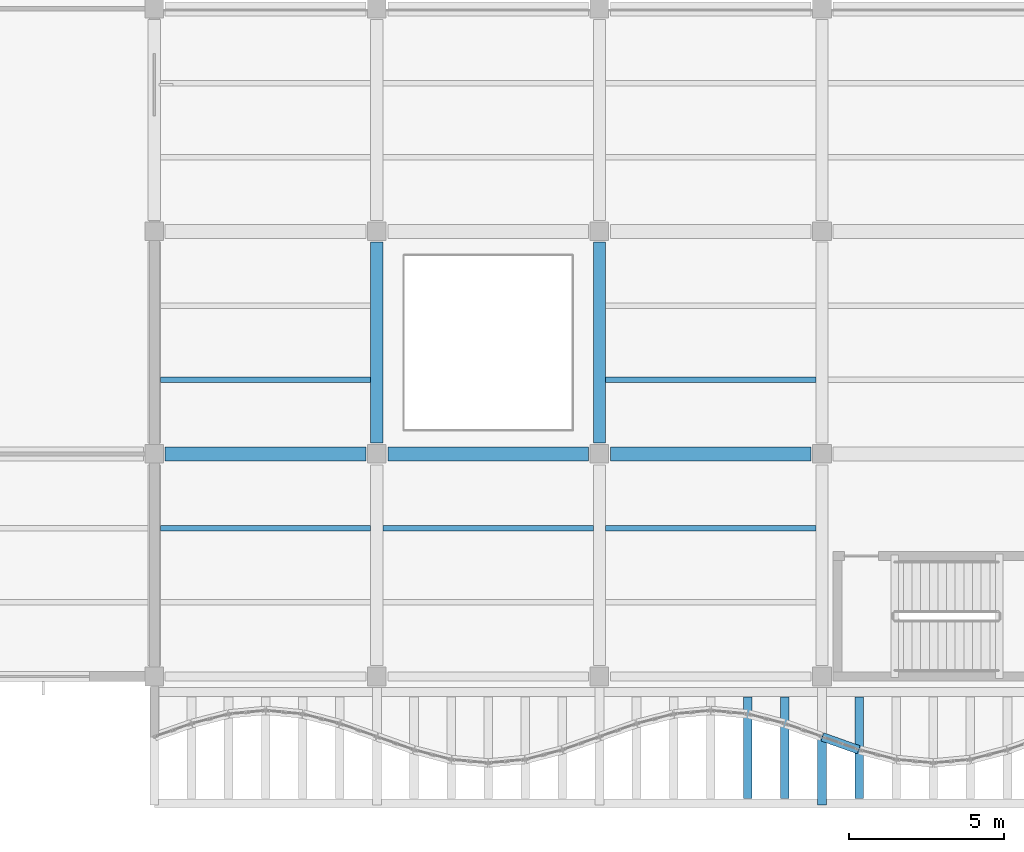
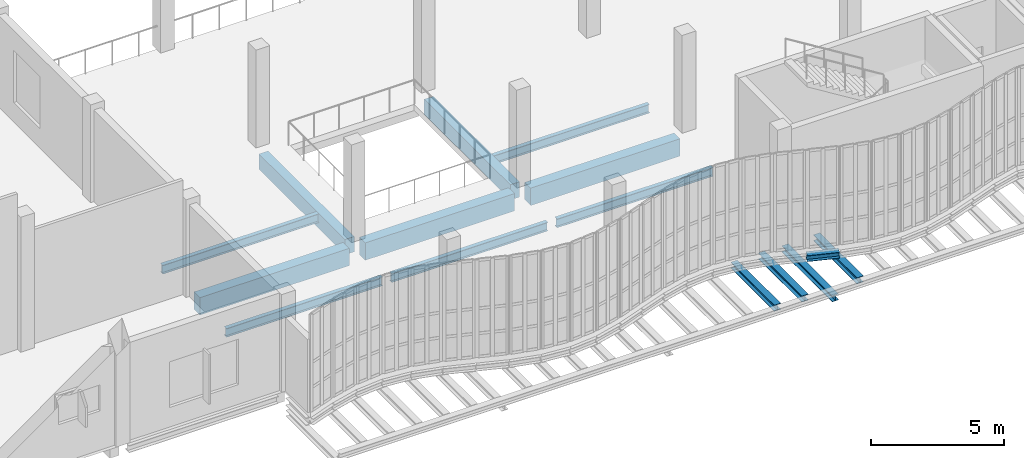
# One storey, part 11 of 105: 15 beams.
"""IFC4 building model written with IfcOpenShell, lengths in metres."""

from ifc_helpers import new_model, si_unit, direction, frame, origin, origin_2d, place, context, subcontext, project, spatial, rectangle, i_section, extrude, material, material_profile, profile_set, type_object, element, save


model = new_model("IFC4")

# Units and contexts
model_context = context("Model", 3, precision=1e-05, world=origin(), true_north=direction((0.0, 1.0)))
body_context = subcontext(model_context, "Body", "Model", "MODEL_VIEW")
ifc_project = project(units=[si_unit("LENGTHUNIT", "METRE"), si_unit("AREAUNIT", "SQUARE_METRE"), si_unit("VOLUMEUNIT", "CUBIC_METRE"), si_unit("PLANEANGLEUNIT", "RADIAN"), si_unit("MASSUNIT", "GRAM", prefix="KILO"), si_unit("THERMODYNAMICTEMPERATUREUNIT", "KELVIN"), si_unit("POWERUNIT", "WATT")], contexts=[model_context])

# Site, building, storey
site_placement = place(None, origin())
site = spatial("IfcSite", under=ifc_project, at=site_placement, CompositionType="ELEMENT")
building_placement = place(site_placement, origin())
building = spatial("IfcBuilding", under=site, at=building_placement, Name="Kaldorven Railside Theatre", CompositionType="ELEMENT")
storey_placement = place(building_placement, frame((0.0, 0.0, 9.89990234375)))
storey = spatial("IfcBuildingStorey", under=building, at=storey_placement, Name="L02", CompositionType="ELEMENT", Elevation=9.89990234375)

# Beams
ifc_material_1 = material(Name="Steel S355", Category="steel")
ifc_material_profile_1 = material_profile(ifc_material_1, i_section(OverallWidth=0.280029296875, OverallDepth=0.280029296875, WebThickness=0.010498046875, FlangeThickness=0.01806640625, at=origin_2d()), Name="HEB 280")
ifc_profile_set_1 = profile_set([ifc_material_profile_1], Name="Steel S355")
beam_type_1 = type_object("IfcBeamType", Name="BM-HEB280", PredefinedType="SPANDREL", material=ifc_profile_set_1)
beam_1_placement = place(storey_placement, frame((58.39990234375, 15.050048828125, -0.97998046875), z_axis=(0.0, 1.0, 0.0), x_axis=(-1.0, 0.0, 0.0)))
element("IfcBeam", 1, at=beam_1_placement, inside=storey, type_object=beam_type_1, Name="L02 Sinusoidal Lower Cantilever Girder FOB-K017", PredefinedType="SPANDREL", context=body_context, shape_type="SweptSolid", body=[
    extrude(i_section(OverallWidth=0.280029296875, OverallDepth=0.280029296875, WebThickness=0.010498046875, FlangeThickness=0.01806640625, at=origin_2d()), origin(), (0.0, 0.0, 1.0), 3.800048828125),
])
for number, where, z_axis, x_axis, name in (
    (2, (56.0, 15.260009765625, -0.699951171875), (0.0, 1.0, 0.0), (-1.0, 0.0, 0.0), "L02 Sinusoidal Diaphragm Rib Outrigger FOB-M089"),
    (3, (57.199951171875, 15.260009765625, -0.699951171875), (0.0, 1.0, 0.0), (-1.0, 0.0, 0.0), "L02 Sinusoidal Diaphragm Rib Outrigger FOB-M090"),
):
    element("IfcBeam", number, at=place(storey_placement, frame(where, z_axis=z_axis, x_axis=x_axis)), inside=storey, type_object=beam_type_1, Name=name, PredefinedType="SPANDREL", context=body_context, shape_type="SweptSolid", body=[
        extrude(i_section(OverallWidth=0.280029296875, OverallDepth=0.280029296875, WebThickness=0.010498046875, FlangeThickness=0.01806640625, at=origin_2d()), origin(), (0.0, 0.0, 1.0), 3.280029296875),
    ])
beam_2_placement = place(storey_placement, frame((58.4140625, 17.2451171875, -0.419921875), z_axis=(0.942627225161, -0.333847142245, 0.0), x_axis=(0.333847142245, 0.942627225161, 0.0)))
element("IfcBeam", 4, at=beam_2_placement, inside=storey, type_object=beam_type_1, Name="L02 Sinusoidal Flute Edge Spandrel FSB-091", PredefinedType="SPANDREL", context=body_context, shape_type="SweptSolid", body=[
    extrude(i_section(OverallWidth=0.280029296875, OverallDepth=0.280029296875, WebThickness=0.010498046875, FlangeThickness=0.01806640625, at=origin_2d()), origin(), (0.0, 0.0, 1.0), 1.2431640625),
])
beam_3_placement = place(storey_placement, frame((59.60009765625, 15.260009765625, -0.699951171875), z_axis=(0.0, 1.0, 0.0), x_axis=(-1.0, 0.0, 0.0)))
element("IfcBeam", 5, at=beam_3_placement, inside=storey, type_object=beam_type_1, Name="L02 Sinusoidal Diaphragm Rib Outrigger FOB-M092", PredefinedType="SPANDREL", context=body_context, shape_type="SweptSolid", body=[
    extrude(i_section(OverallWidth=0.280029296875, OverallDepth=0.280029296875, WebThickness=0.010498046875, FlangeThickness=0.01806640625, at=origin_2d()), origin(), (0.0, 0.0, 1.0), 3.280029296875),
])
ifc_material_profile_2 = material_profile(ifc_material_1, i_section(OverallWidth=0.179931640625, OverallDepth=0.39990234375, WebThickness=0.008544921875, FlangeThickness=0.013427734375, at=origin_2d()), Name="IPE 400")
ifc_profile_set_2 = profile_set([ifc_material_profile_2], Name="Steel S355")
beam_type_2 = type_object("IfcBeamType", Name="BM-IPE400", PredefinedType="JOIST", material=ifc_profile_set_2)
for number, where, z_axis, x_axis, name in (
    (6, (37.0, 24.0, -0.47998046875), (1.0, 0.0, 0.0), (0.0, 1.0, 0.0), "L02 Secondary Floor Joist JG-L02-036-0240"),
    (7, (44.199951171875, 24.0, -0.47998046875), (1.0, 0.0, 0.0), (0.0, 1.0, 0.0), "L02 Secondary Floor Joist JG-L02-044-0240"),
    (8, (51.39990234375, 24.0, -0.47998046875), (1.0, 0.0, 0.0), (0.0, 1.0, 0.0), "L02 Secondary Floor Joist JG-L02-051-0240"),
    (9, (37.0, 28.800048828125, -0.47998046875), (1.0, 0.0, 0.0), (0.0, 1.0, 0.0), "L02 Secondary Floor Joist JG-L02-036-0288"),
    (10, (51.39990234375, 28.800048828125, -0.47998046875), (1.0, 0.0, 0.0), (0.0, 1.0, 0.0), "L02 Secondary Floor Joist JG-L02-051-0288"),
):
    element("IfcBeam", number, at=place(storey_placement, frame(where, z_axis=z_axis, x_axis=x_axis)), inside=storey, type_object=beam_type_2, Name=name, PredefinedType="JOIST", context=body_context, shape_type="SweptSolid", body=[
        extrude(i_section(OverallWidth=0.179931640625, OverallDepth=0.39990234375, WebThickness=0.008544921875, FlangeThickness=0.013427734375, at=origin_2d()), origin(), (0.0, 0.0, 1.0), 6.800048828125),
    ])
ifc_material_2 = material(Name="Concrete C40/50", Category="concrete")
ifc_material_profile_3 = material_profile(ifc_material_2, rectangle(XDim=0.39990234375, YDim=0.699951171875, at=origin_2d()), Name="RC 400x700")
ifc_profile_set_3 = profile_set([ifc_material_profile_3], Name="Concrete C40/50")
beam_type_3 = type_object("IfcBeamType", Name="BM-RC400x700", PredefinedType="BEAM", material=ifc_profile_set_3)
for number, where, z_axis, x_axis, name in (
    (11, (44.0, 26.75, -0.6298828125), (0.0, 1.0, 0.0), (-1.0, 0.0, 0.0), "L02 Girder BGY-L02-044-026-72"),
    (12, (51.199951171875, 26.75, -0.6298828125), (0.0, 1.0, 0.0), (-1.0, 0.0, 0.0), "L02 Girder BGY-L02-051-026-72"),
):
    element("IfcBeam", number, at=place(storey_placement, frame(where, z_axis=z_axis, x_axis=x_axis)), inside=storey, type_object=beam_type_3, Name=name, PredefinedType="BEAM", context=body_context, shape_type="SweptSolid", body=[
        extrude(rectangle(XDim=0.39990234375, YDim=0.699951171875, at=origin_2d()), origin(), (0.0, 0.0, 1.0), 6.5),
    ])
ifc_material_profile_4 = material_profile(ifc_material_2, rectangle(XDim=0.449951171875, YDim=0.800048828125, at=origin_2d()), Name="RC 450x800")
ifc_profile_set_4 = profile_set([ifc_material_profile_4], Name="Concrete C40/50")
beam_type_4 = type_object("IfcBeamType", Name="BM-RC450x800", PredefinedType="BEAM", material=ifc_profile_set_4)
for number, where, z_axis, x_axis, name in (
    (13, (37.14990234375, 26.39990234375, -0.679931640625), (1.0, 0.0, 0.0), (0.0, 1.0, 0.0), "L02 Girder BGX-L02-036-026"),
    (14, (44.35009765625, 26.39990234375, -0.679931640625), (1.0, 0.0, 0.0), (0.0, 1.0, 0.0), "L02 Girder BGX-L02-044-026"),
    (15, (51.550048828125, 26.39990234375, -0.679931640625), (1.0, 0.0, 0.0), (0.0, 1.0, 0.0), "L02 Girder BGX-L02-051-026"),
):
    element("IfcBeam", number, at=place(storey_placement, frame(where, z_axis=z_axis, x_axis=x_axis)), inside=storey, type_object=beam_type_4, Name=name, PredefinedType="BEAM", context=body_context, shape_type="SweptSolid", body=[
        extrude(rectangle(XDim=0.449951171875, YDim=0.800048828125, at=origin_2d()), origin(), (0.0, 0.0, 1.0), 6.5),
    ])

save(model, "model.ifc")
